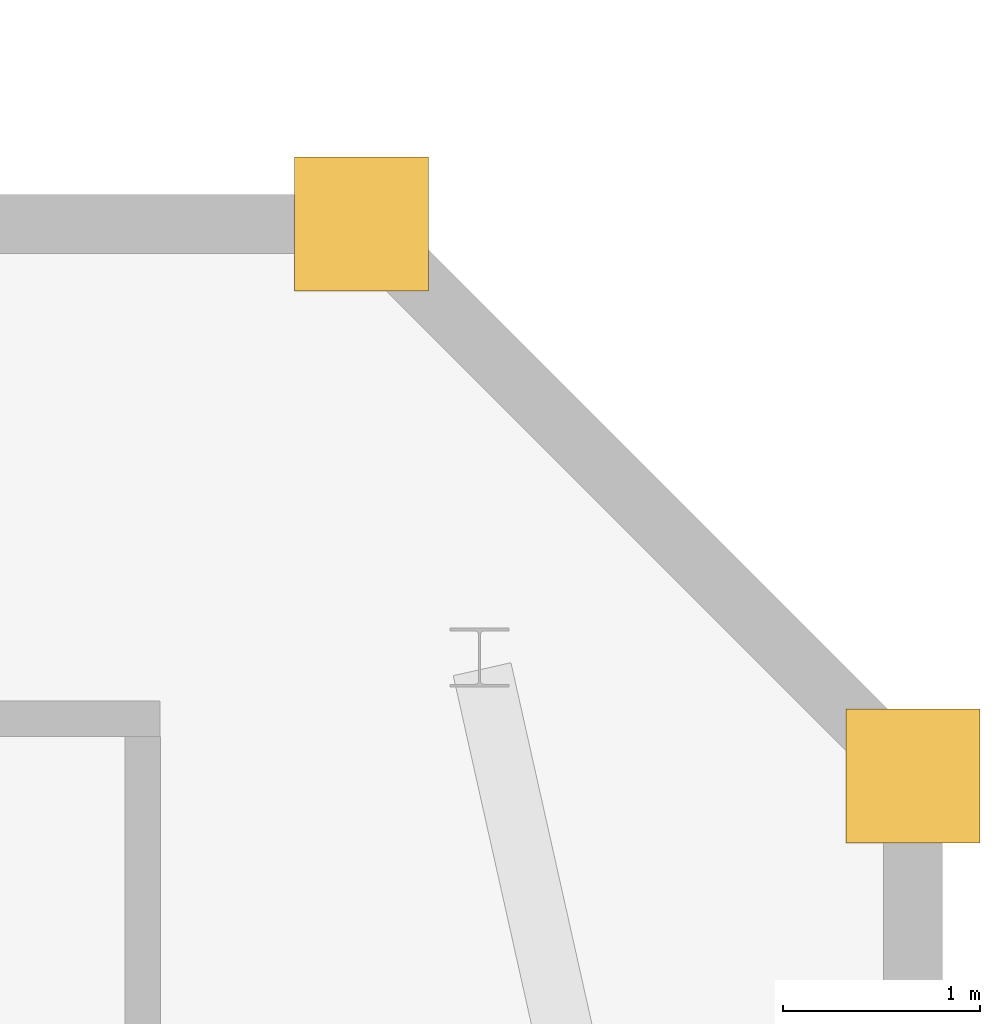
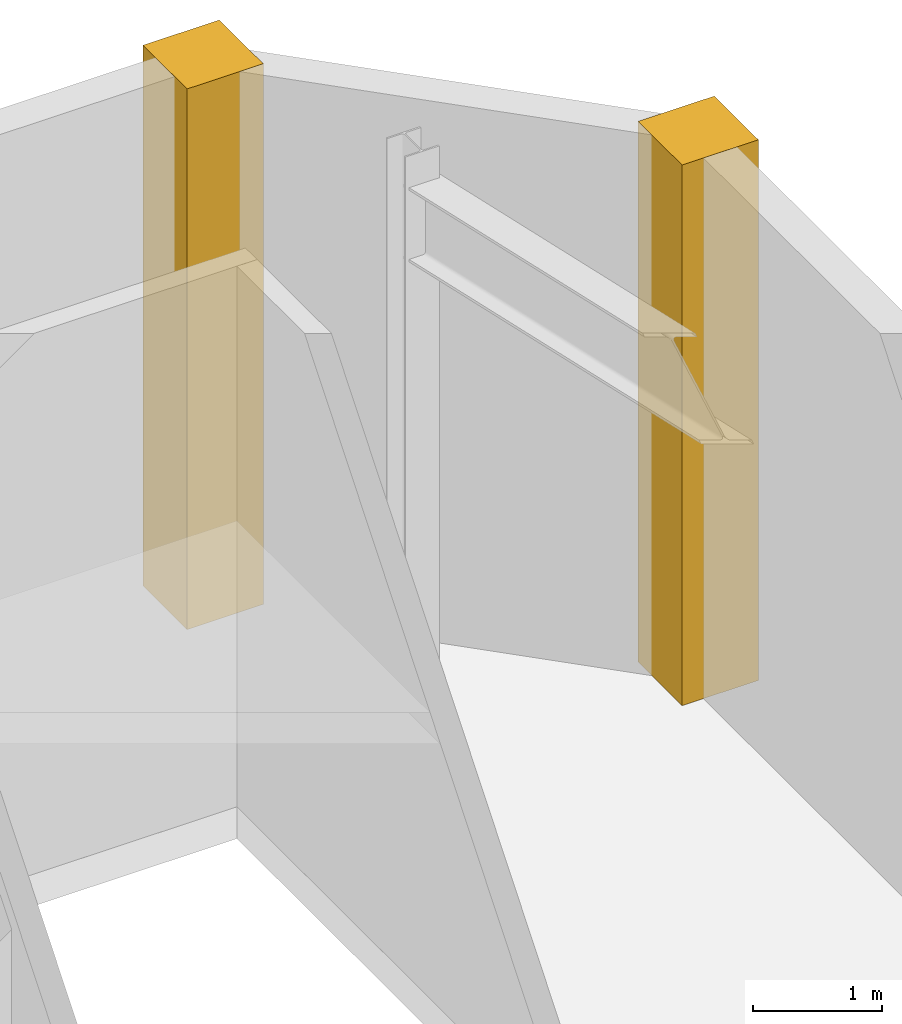
# One storey, part 52 of 52: 2 coverings.
"""IFC4 building model written with IfcOpenShell, lengths in metres."""

import ifcopenshell
import ifcopenshell.guid

model = None  # the IFC model being written
_history = None  # IfcOwnerHistory: only IFC2X3 demands one
_inside = {}  # id of a spatial element -> (the spatial element, [elements in it])
_under = {}  # id of a project, library or spatial element -> (it, [spatial elements below it])
_declared = {}  # id of a project -> (the project, [libraries it declares])
_typed = {}  # id of a type object -> (the type object, [elements of that type])
_made_of = {}  # id of a material, layer set ... -> (it, [elements and type objects made of it])


def new_model(schema):
    """Start an empty IFC model of exactly this schema.

    Asked for "IFC4X3", IfcOpenShell would pick the latest addendum, in which some entities
    have other attributes; the version numbers below select the first issue.
    IFC2X3 requires an IfcOwnerHistory on every rooted entity: one is made here for all.
    """
    global model, _history
    if schema == "IFC4X3":
        model = ifcopenshell.file(schema_version=(4, 3, 0, 0))
    else:
        model = ifcopenshell.file(schema=schema)
    _inside.clear()
    _under.clear()
    _declared.clear()
    _typed.clear()
    _made_of.clear()
    _history = None
    if model.schema == "IFC2X3":
        org = make("IfcOrganization", Name="unknown")
        user = make(
            "IfcPersonAndOrganization",
            ThePerson=make("IfcPerson", FamilyName="unknown"),
            TheOrganization=org,
        )
        app = make(
            "IfcApplication",
            ApplicationDeveloper=org,
            Version="unknown",
            ApplicationFullName="unknown",
            ApplicationIdentifier="unknown",
        )
        _history = make(
            "IfcOwnerHistory",
            OwningUser=user,
            OwningApplication=app,
            ChangeAction="ADDED",
            CreationDate=0,
        )
    return model


def make(cls, **values):
    """One entity of the class cls with the attributes given. An attribute that is None is left unset."""
    return model.create_entity(
        cls, **{name: value for name, value in values.items() if value is not None}
    )


def rooted(cls, **values):
    """An entity with a GlobalId (a new one), such as an element, a storey or a relation."""
    return make(cls, GlobalId=ifcopenshell.guid.new(), OwnerHistory=_history, **values)


def si_unit(unit_type, name, prefix=None):
    """IfcSIUnit, for example si_unit("LENGTHUNIT", "METRE", prefix="MILLI")."""
    return make("IfcSIUnit", UnitType=unit_type, Prefix=prefix, Name=name)


def assignment(units):
    """IfcUnitAssignment: the units of a project."""
    return None if units is None else make("IfcUnitAssignment", Units=units)


def point(xyz):
    """IfcCartesianPoint."""
    return None if xyz is None else make("IfcCartesianPoint", Coordinates=xyz)


def direction(xyz):
    """IfcDirection."""
    return None if xyz is None else make("IfcDirection", DirectionRatios=xyz)


def frame(location, z_axis=None, x_axis=None):
    """IfcAxis2Placement3D, a coordinate frame: its origin and axes. An axis left out is left unset."""
    return make(
        "IfcAxis2Placement3D",
        Location=point(location),
        Axis=direction(z_axis),
        RefDirection=direction(x_axis),
    )


def origin():
    """The frame at (0, 0, 0) with its axes left unset."""
    return frame((0.0, 0.0, 0.0))


def place(relative_to, where):
    """IfcLocalPlacement: puts the frame where relative to a parent placement (None: the world)."""
    return make(
        "IfcLocalPlacement", PlacementRelTo=relative_to, RelativePlacement=where
    )


def context(
    kind, dimensions, precision=None, world=None, true_north=None, identifier=None
):
    """IfcGeometricRepresentationContext, for example the 3D "Model" context."""
    return make(
        "IfcGeometricRepresentationContext",
        ContextIdentifier=identifier,
        ContextType=kind,
        CoordinateSpaceDimension=dimensions,
        Precision=precision,
        WorldCoordinateSystem=world,
        TrueNorth=true_north,
    )


def subcontext(parent, identifier, kind, view, scale=None):
    """IfcGeometricRepresentationSubContext, for example "Body" below "Model"."""
    return make(
        "IfcGeometricRepresentationSubContext",
        ContextIdentifier=identifier,
        ContextType=kind,
        ParentContext=parent,
        TargetScale=scale,
        TargetView=view,
    )


def project(units=None, contexts=None):
    """IfcProject with its units and contexts."""
    return rooted(
        "IfcProject",
        Name="project",
        RepresentationContexts=contexts,
        UnitsInContext=assignment(units),
    )


def spatial(cls, under=None, at=None, **own):
    """A site, building, storey or space (cls), placed at a placement, below another one or the project."""
    s = rooted(cls, ObjectPlacement=at, **own)
    if under is not None:
        _under.setdefault(under.id(), (under, []))[1].append(s)
    return s


def polyline(points):
    """IfcPolyline through the points."""
    return make("IfcPolyline", Points=[point(p) for p in points])


def outline(outer, holes=None, kind="AREA"):
    """IfcArbitraryClosedProfileDef: a profile drawn as a closed curve; with holes, ...WithVoids."""
    if holes is None:
        return make("IfcArbitraryClosedProfileDef", ProfileType=kind, OuterCurve=outer)
    return make(
        "IfcArbitraryProfileDefWithVoids",
        ProfileType=kind,
        OuterCurve=outer,
        InnerCurves=holes,
    )


def extrude(swept, where, along, depth):
    """IfcExtrudedAreaSolid: the profile swept, set in the frame where, extruded along a direction by depth."""
    return make(
        "IfcExtrudedAreaSolid",
        SweptArea=swept,
        Position=where,
        ExtrudedDirection=direction(along),
        Depth=depth,
    )


def shape(context_of_items, identifier, shape_type, items):
    """IfcShapeRepresentation: the items that make up one representation, for example the "Body"."""
    return make(
        "IfcShapeRepresentation",
        ContextOfItems=context_of_items,
        RepresentationIdentifier=identifier,
        RepresentationType=shape_type,
        Items=items,
    )


def material(Name=None, Category=None):
    """IfcMaterial."""
    return make("IfcMaterial", Name=Name, Category=Category)


def layer(
    of_material, thickness, ventilated=None, Name=None, Category=None, Priority=None
):
    """IfcMaterialLayer: one layer of a wall or slab, of a material (None: an air gap)."""
    return make(
        "IfcMaterialLayer",
        Material=of_material,
        LayerThickness=thickness,
        IsVentilated=ventilated,
        Name=Name,
        Category=Category,
        Priority=Priority,
    )


def layer_set(layers, Name=None):
    """IfcMaterialLayerSet."""
    return make("IfcMaterialLayerSet", MaterialLayers=layers, LayerSetName=Name)


def made_of(thing, what):
    """Note that an element or type object is made of a material, layer set ...; save() writes the relation."""
    if what is not None:
        _made_of.setdefault(what.id(), (what, []))[1].append(thing)
    return thing


def type_object(cls, material=None, **own):
    """A type object (cls), such as IfcWallType, which elements share."""
    return made_of(rooted(cls, **own), material)


def element(
    cls,
    number,
    at=None,
    inside=None,
    cuts=None,
    type_object=None,
    material=None,
    context=None,
    identifier="Body",
    shape_type=None,
    held_by="IfcProductDefinitionShape",
    body=None,
    shapes=None,
    **own,
):
    """One element of the class cls, such as IfcWall. Its Tag is "e" and its number.

    at: its placement. inside: the storey or other place that contains it. cuts: it is an
    opening in that element (IfcRelVoidsElement). A single representation is given by context,
    identifier, shape_type and body (its items); several are given by shapes. held_by: the class
    of the entity that holds the representations. save() writes the other relations.
    """
    e = rooted(cls, Tag="e%d" % number, ObjectPlacement=at, **own)
    if body is not None:
        shapes = [shape(context, identifier, shape_type, body)]
    if shapes is not None:
        e.Representation = make(held_by, Representations=shapes)
    if inside is not None:
        _inside.setdefault(inside.id(), (inside, []))[1].append(e)
    if cuts is not None:
        rooted(
            "IfcRelVoidsElement", RelatingBuildingElement=cuts, RelatedOpeningElement=e
        )
    if type_object is not None:
        _typed.setdefault(type_object.id(), (type_object, []))[1].append(e)
    return made_of(e, material)


def aggregate(whole, parts):
    """IfcRelAggregates: a whole, such as a stair, and the parts it consists of."""
    return rooted("IfcRelAggregates", RelatingObject=whole, RelatedObjects=parts)


def save(model, path):
    """Write the relations noted so far, then the file.

    IfcRelAggregates (storeys below a building ...), IfcRelContainedInSpatialStructure (elements
    in a storey), IfcRelDefinesByType, IfcRelAssociatesMaterial and IfcRelDeclares: one each for
    every whole, place, type object, material and project.
    """
    for whole, parts in _under.values():
        aggregate(whole, parts)
    for where, things in _inside.values():
        rooted(
            "IfcRelContainedInSpatialStructure",
            RelatedElements=things,
            RelatingStructure=where,
        )
    for kind, things in _typed.values():
        rooted("IfcRelDefinesByType", RelatedObjects=things, RelatingType=kind)
    for what, things in _made_of.values():
        rooted("IfcRelAssociatesMaterial", RelatedObjects=things, RelatingMaterial=what)
    for by, libraries in _declared.values():
        rooted("IfcRelDeclares", RelatingContext=by, RelatedDefinitions=libraries)
    model.write(path)


model = new_model("IFC4")

# Units and contexts
model_context = context("Model", 3, precision=1e-05, world=origin(), true_north=direction((0.0, 1.0)))
body_context = subcontext(model_context, "Body", "Model", "MODEL_VIEW")
ifc_project = project(units=[si_unit("LENGTHUNIT", "METRE"), si_unit("AREAUNIT", "SQUARE_METRE"), si_unit("VOLUMEUNIT", "CUBIC_METRE"), si_unit("PLANEANGLEUNIT", "RADIAN"), si_unit("MASSUNIT", "GRAM", prefix="KILO")], contexts=[model_context])

# Site, building, storey
site_placement = place(None, origin())
site = spatial("IfcSite", under=ifc_project, at=site_placement, CompositionType="ELEMENT")
building_placement = place(site_placement, origin())
building = spatial("IfcBuilding", under=site, at=building_placement, Name="Saevonmaru Cultural Tower", CompositionType="ELEMENT")
storey_placement = place(building_placement, frame((0.0, 0.0, 16.800048828125)))
storey = spatial("IfcBuildingStorey", under=building, at=storey_placement, Name="L03", CompositionType="ELEMENT", Elevation=16.800048828125)

# Coverings
ifc_material = material(Name="Satin Bronze Anodised Aluminium", Category="aluminium")
ifc_layer = layer(ifc_material, 0.679931640625, Name="Satin Bronze Anodised Aluminium")
ifc_layer_set = layer_set([ifc_layer], Name="Satin Bronze Anodised Aluminium")
covering_type = type_object("IfcCoveringType", Name="CV-CORNER-CLAD", PredefinedType="CLADDING", material=ifc_layer_set)
covering_1_placement = place(storey_placement, origin())
element("IfcCovering", 1, at=covering_1_placement, inside=storey, type_object=covering_type, Name="L03 Library Bronze Corner Cladding Pier 5", PredefinedType="CLADDING", context=body_context, shape_type="SweptSolid", body=[
    extrude(outline(polyline([(107.860107421875, 44.860107421875), (108.5400390625, 44.860107421875), (108.5400390625, 45.5400390625), (107.860107421875, 45.5400390625), (107.860107421875, 44.860107421875)])), origin(), (0.0, 0.0, 1.0), 5.099853515625),
])
covering_2_placement = place(storey_placement, origin())
element("IfcCovering", 2, at=covering_2_placement, inside=storey, type_object=covering_type, Name="L03 Library Bronze Corner Cladding Pier 6", PredefinedType="CLADDING", context=body_context, shape_type="SweptSolid", body=[
    extrude(outline(polyline([(105.06005859375, 47.659912109375), (105.739990234375, 47.659912109375), (105.739990234375, 48.340087890625), (105.06005859375, 48.340087890625), (105.06005859375, 47.659912109375)])), origin(), (0.0, 0.0, 1.0), 5.099853515625),
])

save(model, "model.ifc")
